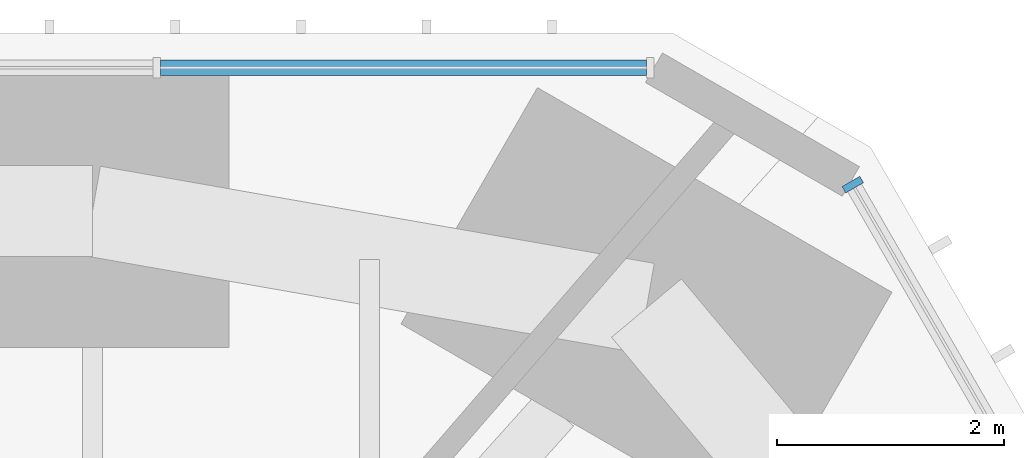
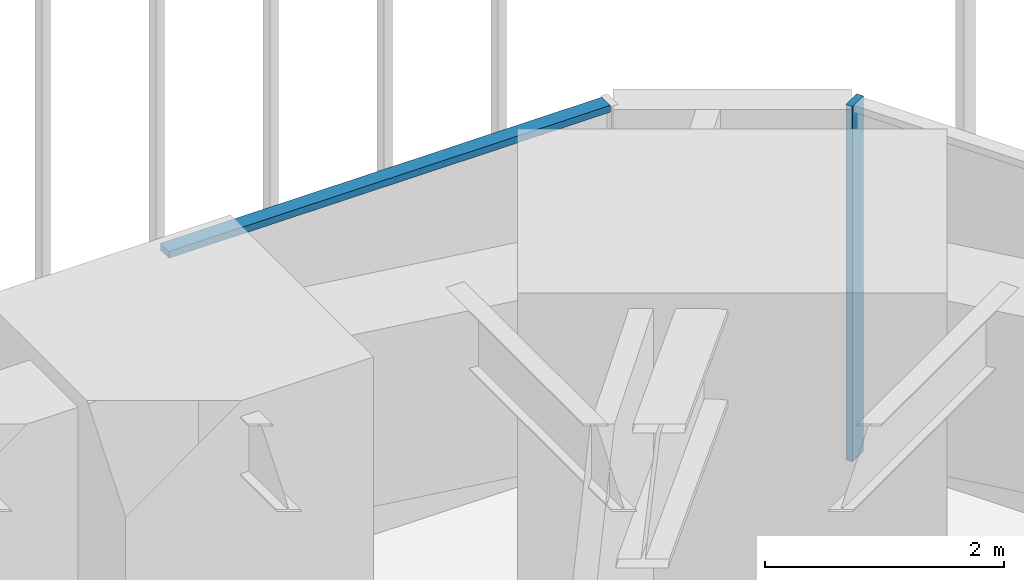
# One storey, part 244 of 256: 2 members, 2 elements without a shape of their own.
"""IFC4 building model written with IfcOpenShell, lengths in metres."""

from ifc_helpers import new_model, si_unit, direction, frame, origin, origin_2d, place, context, subcontext, project, spatial, rectangle, extrude, material, material_profile, profile_set, type_object, element, aggregate, save


model = new_model("IFC4")

# Units and contexts
model_context = context("Model", 3, precision=1e-05, world=origin(), true_north=direction((0.0, 1.0)))
body_context = subcontext(model_context, "Body", "Model", "MODEL_VIEW")
ifc_project = project(units=[si_unit("LENGTHUNIT", "METRE"), si_unit("AREAUNIT", "SQUARE_METRE"), si_unit("VOLUMEUNIT", "CUBIC_METRE"), si_unit("PLANEANGLEUNIT", "RADIAN"), si_unit("MASSUNIT", "GRAM", prefix="KILO")], contexts=[model_context])

# Site, building, storey
site_placement = place(None, origin())
site = spatial("IfcSite", under=ifc_project, at=site_placement, CompositionType="ELEMENT")
building_placement = place(site_placement, origin())
building = spatial("IfcBuilding", under=site, at=building_placement, Name="Sandreach Pilgrim Tower", CompositionType="ELEMENT")
storey_placement = place(building_placement, frame((0.0, 0.0, 23.0)))
storey = spatial("IfcBuildingStorey", under=building, at=storey_placement, Name="L04", CompositionType="ELEMENT", Elevation=23.0)

# Curtain wall, member
ifc_material_1 = material(Name="Aluminium framed curtain wall", Category="aluminium")
curtain_wall_type = type_object("IfcCurtainWallType", Name="Hostel tower curtain wall", PredefinedType="NOTDEFINED", material=ifc_material_1)
curtain_wall_1_placement = place(storey_placement, origin())
curtain_wall_1 = element("IfcCurtainWall", 1, at=curtain_wall_1_placement, inside=storey, type_object=curtain_wall_type, Name="CW-1 L04 NE", PredefinedType="NOTDEFINED")
ifc_material_2 = material(Name="Aluminium extrusion", Category="aluminium")
ifc_material_profile_1 = material_profile(ifc_material_2, rectangle(XDim=0.06494140625, YDim=0.179931640625, at=origin_2d()), Name="CW-1M 65X180")
ifc_profile_set_1 = profile_set([ifc_material_profile_1], Name="Aluminium extrusion")
member_type_1 = type_object("IfcMemberType", Name="CW-1 mullion", PredefinedType="MULLION", material=ifc_profile_set_1)
member_1_placement = place(storey_placement, frame((21.42041015625, 22.920654296875, 0.0), z_axis=(0.0, 0.0, 1.0), x_axis=(0.5, -0.866025403784, 0.0)))
member_1 = element("IfcMember", 2, at=member_1_placement, type_object=member_type_1, Name="CW-1 mullion 1", PredefinedType="MULLION", context=body_context, shape_type="SweptSolid", body=[
    extrude(rectangle(XDim=0.06494140625, YDim=0.179931640625, at=origin_2d()), origin(), (0.0, 0.0, 1.0), 3.639892578125),
])
aggregate(curtain_wall_1, [member_1])

curtain_wall_2_placement = place(storey_placement, origin())
curtain_wall_2 = element("IfcCurtainWall", 3, at=curtain_wall_2_placement, inside=storey, type_object=curtain_wall_type, Name="CW-1 L04 N", PredefinedType="NOTDEFINED")
ifc_material_3 = material(Name="Aluminium extrusion", Category="aluminium")
ifc_material_profile_2 = material_profile(ifc_material_3, rectangle(XDim=0.139892578125, YDim=0.070068359375, at=origin_2d()), Name="CW-1T 140X70")
ifc_profile_set_2 = profile_set([ifc_material_profile_2], Name="Aluminium extrusion")
member_type_2 = type_object("IfcMemberType", Name="CW-1 transom", PredefinedType="USERDEFINED", material=ifc_profile_set_2)
member_2_placement = place(storey_placement, frame((15.3330078125, 23.94873046875, 3.60498046875), z_axis=(1.0, 0.0, 0.0), x_axis=(0.0, 1.0, 0.0)))
member_2 = element("IfcMember", 4, at=member_2_placement, type_object=member_type_2, Name="CW-1 head transom 9", ObjectType="TRANSOM", PredefinedType="USERDEFINED", context=body_context, shape_type="SweptSolid", body=[
    extrude(rectangle(XDim=0.139892578125, YDim=0.070068359375, at=origin_2d()), origin(), (0.0, 0.0, 1.0), 4.274169921875),
])
aggregate(curtain_wall_2, [member_2])

save(model, "model.ifc")
